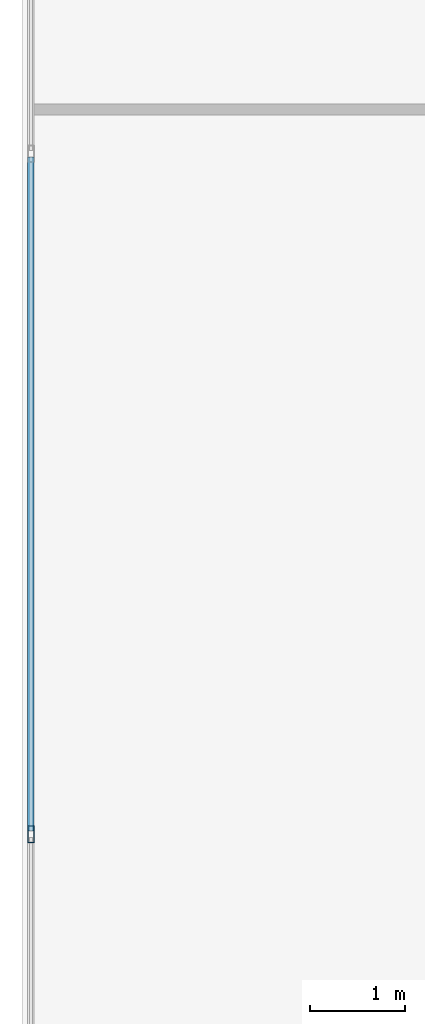
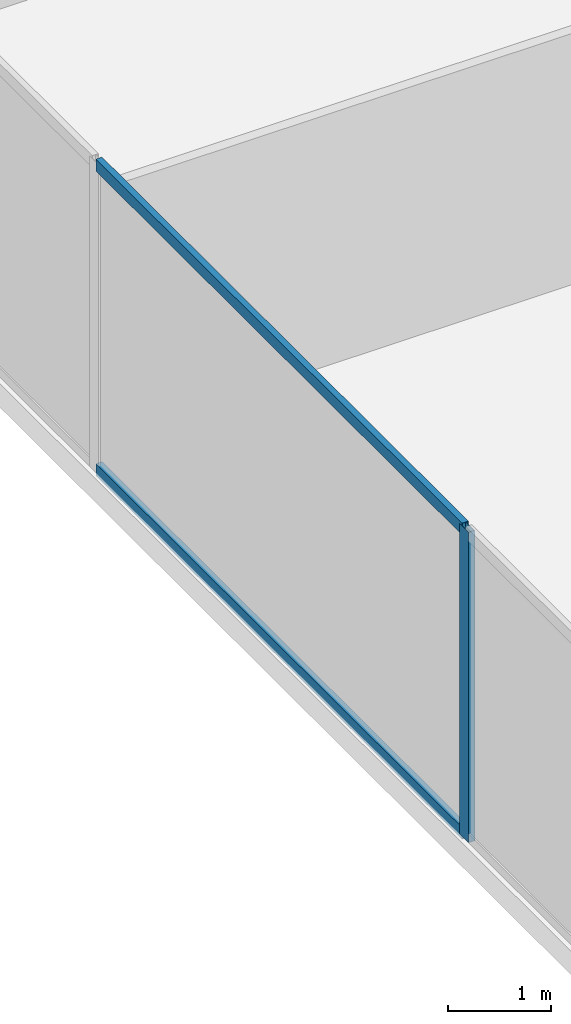
# One storey, part 4 of 28: 3 members, 1 element without a shape of its own.
"""IFC4 building model written with IfcOpenShell, lengths in metres."""

from ifc_helpers import new_model, si_unit, direction, frame, origin, origin_2d, place, context, subcontext, project, spatial, hollow_rectangle, extrude, source, transform, mapped, material, material_profile, profile_set, type_object, type_shapes, element, aggregate, save


model = new_model("IFC4")

# Units and contexts
model_context = context("Model", 3, precision=1e-05, world=origin(), true_north=direction((0.0, 1.0)))
body_context = subcontext(model_context, "Body", "Model", "MODEL_VIEW")
ifc_project = project(units=[si_unit("LENGTHUNIT", "METRE"), si_unit("AREAUNIT", "SQUARE_METRE"), si_unit("VOLUMEUNIT", "CUBIC_METRE"), si_unit("PLANEANGLEUNIT", "RADIAN"), si_unit("MASSUNIT", "GRAM", prefix="KILO")], contexts=[model_context])

# Site, building, storey
site_placement = place(None, origin())
site = spatial("IfcSite", under=ifc_project, at=site_placement, CompositionType="ELEMENT")
building_placement = place(site_placement, origin())
building = spatial("IfcBuilding", under=site, at=building_placement, Name="Krantzveldt Concourse Tower", CompositionType="ELEMENT")
storey_placement = place(building_placement, frame((0.0, 0.0, 32.89990234375)))
storey = spatial("IfcBuildingStorey", under=building, at=storey_placement, Name="L07", CompositionType="ELEMENT", Elevation=32.89990234375)

# Curtain wall, members
ifc_material = material(Name="Anodised aluminium 6063-T6", Category="aluminium")
curtain_wall_type = type_object("IfcCurtainWallType", Name="CW2", PredefinedType="USERDEFINED", material=ifc_material)
curtain_wall_placement = place(storey_placement, origin())
curtain_wall = element("IfcCurtainWall", 1, at=curtain_wall_placement, inside=storey, type_object=curtain_wall_type, Name="CW-L07-F01", ObjectType="UNITISED CURTAIN WALL", PredefinedType="USERDEFINED")
ifc_material_profile_1 = material_profile(ifc_material, hollow_rectangle(XDim=0.070068359375, YDim=0.139892578125, WallThickness=0.0048828125, at=origin_2d()), Name="Anodised aluminium 6063-T6", Category="aluminium")
ifc_profile_set_1 = profile_set([ifc_material_profile_1], Name="Anodised aluminium 6063-T6 - ALU-TRAN 140x70x5")
member_type_1 = type_object("IfcMemberType", Name="CW-TRN-150", PredefinedType="USERDEFINED", material=ifc_profile_set_1)
shared_shape_1 = source(origin(), body_context, "Body", "SweptSolid", [
    extrude(hollow_rectangle(XDim=0.070068359375, YDim=0.139892578125, WallThickness=0.0048828125, at=origin_2d()), origin(), (0.0, 0.0, 1.0), 7.0966796875),
])
type_shapes(member_type_1, [shared_shape_1])
member_1_placement = place(storey_placement, frame((11.090087890625, 19.498291015625, 0.03515625), z_axis=(0.0, -1.0, 0.0), x_axis=(1.0, 0.0, 0.0)))
member_1 = element("IfcMember", 2, at=member_1_placement, type_object=member_type_1, Name="CW-Z12 transom 5.1", ObjectType="TRANSOM", PredefinedType="USERDEFINED", context=body_context, shape_type="MappedRepresentation", body=[
    mapped(shared_shape_1, transform((0.0, 0.0, 0.0), x_axis=(1.0, 0.0, 0.0), y_axis=(0.0, 1.0, 0.0), z_axis=(0.0, 0.0, 1.0), scale=1.0)),
])
member_2_placement = place(storey_placement, frame((11.090087890625, 19.498291015625, 3.635009765625), z_axis=(0.0, -1.0, 0.0), x_axis=(1.0, 0.0, 0.0)))
member_2 = element("IfcMember", 3, at=member_2_placement, type_object=member_type_1, Name="CW-Z12 transom 5.2", ObjectType="TRANSOM", PredefinedType="USERDEFINED", context=body_context, shape_type="MappedRepresentation", body=[
    mapped(shared_shape_1, transform((0.0, 0.0, 0.0), x_axis=(1.0, 0.0, 0.0), y_axis=(0.0, 1.0, 0.0), z_axis=(0.0, 0.0, 1.0), scale=1.0)),
])
ifc_material_profile_2 = material_profile(ifc_material, hollow_rectangle(XDim=0.070068359375, YDim=0.179931640625, WallThickness=0.0048828125, at=origin_2d()), Name="Anodised aluminium 6063-T6", Category="aluminium")
ifc_profile_set_2 = profile_set([ifc_material_profile_2], Name="Anodised aluminium 6063-T6 - ALU-MULL 180x70x5")
member_type_2 = type_object("IfcMemberType", Name="CW-MUL-180", PredefinedType="MULLION", material=ifc_profile_set_2)
shared_shape_2 = source(origin(), body_context, "Body", "SweptSolid", [
    extrude(hollow_rectangle(XDim=0.070068359375, YDim=0.179931640625, WallThickness=0.0048828125, at=origin_2d()), origin(), (0.0, 0.0, 1.0), 3.670166015625),
])
type_shapes(member_type_2, [shared_shape_2])
member_3_placement = place(storey_placement, frame((11.090087890625, 12.36669921875, 0.0), z_axis=(0.0, 0.0, 1.0), x_axis=(1.0, 0.0, 0.0)))
member_3 = element("IfcMember", 4, at=member_3_placement, type_object=member_type_2, Name="CW-Z12 mullion 6", PredefinedType="MULLION", context=body_context, shape_type="MappedRepresentation", body=[
    mapped(shared_shape_2, transform((0.0, 0.0, 0.0), x_axis=(1.0, 0.0, 0.0), y_axis=(0.0, 1.0, 0.0), z_axis=(0.0, 0.0, 1.0), scale=1.0)),
])
aggregate(curtain_wall, [member_3, member_1, member_2])

save(model, "model.ifc")
